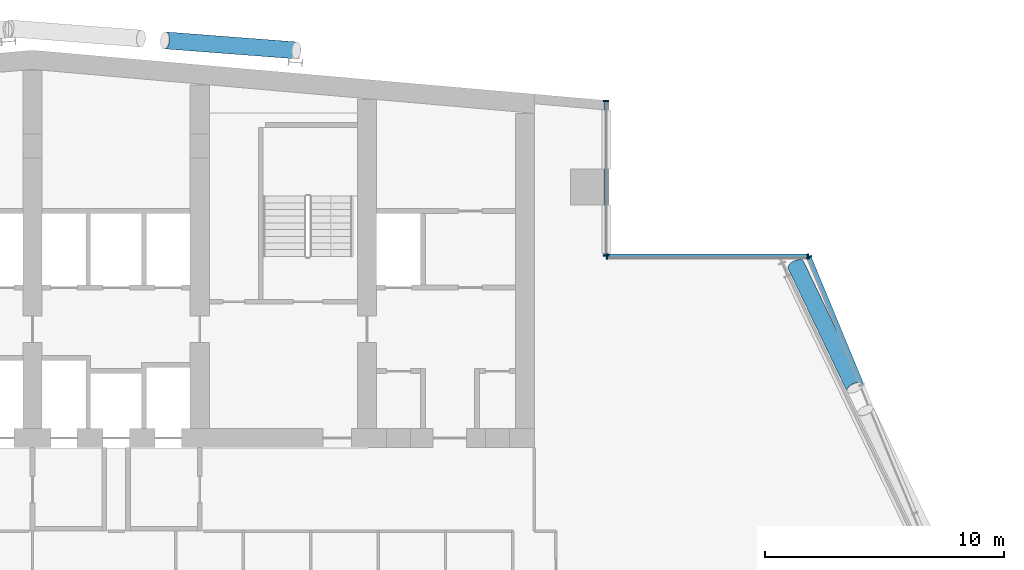
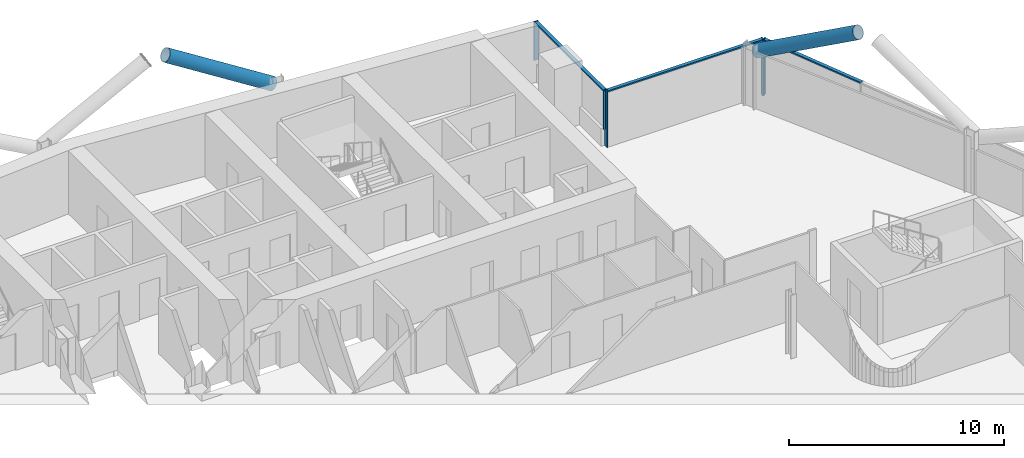
# One storey, part 10 of 29: 10 members, 3 elements without a shape of their own.
"""IFC4 building model written with IfcOpenShell, lengths in metres."""

from ifc_helpers import new_model, si_unit, direction, frame, origin, origin_2d, place, context, subcontext, project, spatial, rectangle, hollow_circle, extrude, material, material_profile, profile_set, type_object, element, aggregate, save


model = new_model("IFC4")

# Units and contexts
model_context = context("Model", 3, precision=1e-05, world=origin(), true_north=direction((0.0, 1.0)))
body_context = subcontext(model_context, "Body", "Model", "MODEL_VIEW")
ifc_project = project(units=[si_unit("LENGTHUNIT", "METRE"), si_unit("AREAUNIT", "SQUARE_METRE"), si_unit("VOLUMEUNIT", "CUBIC_METRE"), si_unit("PLANEANGLEUNIT", "RADIAN"), si_unit("MASSUNIT", "GRAM", prefix="KILO")], contexts=[model_context])

# Site, building, storey
site_placement = place(None, origin())
site = spatial("IfcSite", under=ifc_project, at=site_placement, CompositionType="ELEMENT")
building_placement = place(site_placement, origin())
building = spatial("IfcBuilding", under=site, at=building_placement, Name="Wharfspan Tower", CompositionType="ELEMENT")
storey_placement = place(building_placement, frame((0.0, 0.0, 155.5)))
storey = spatial("IfcBuildingStorey", under=building, at=storey_placement, Name="L37", CompositionType="ELEMENT", Elevation=155.5)

# Curtain wall, member
ifc_material_1 = material(Name="Aluminium 6063-T6", Category="aluminium")
curtain_wall_type = type_object("IfcCurtainWallType", Name="CURTAIN WALL PROW AND END", PredefinedType="NOTDEFINED", material=ifc_material_1)
curtain_wall_1_placement = place(storey_placement, origin())
curtain_wall_1 = element("IfcCurtainWall", 1, at=curtain_wall_1_placement, inside=storey, type_object=curtain_wall_type, Name="Curtain wall E", PredefinedType="NOTDEFINED")
ifc_material_profile_1 = material_profile(ifc_material_1, rectangle(XDim=0.23999, YDim=0.060059, at=origin_2d()))
ifc_profile_set_1 = profile_set([ifc_material_profile_1], Name="Aluminium 6063-T6")
member_type_1 = type_object("IfcMemberType", Name="MULLION PROW AND END 60x240", PredefinedType="MULLION", material=ifc_profile_set_1)
member_1_placement = place(storey_placement, frame((69.488525, 41.972168, 0.0), z_axis=(0.0, 0.0, 1.0), x_axis=(-0.924325, -0.381602, 0.0)))
member_1 = element("IfcMember", 2, at=member_1_placement, type_object=member_type_1, Name="Curtain wall E mullion 8", PredefinedType="MULLION", context=body_context, shape_type="SweptSolid", body=[
    extrude(rectangle(XDim=0.23999, YDim=0.060059, at=origin_2d()), origin(), (0.0, 0.0, 1.0), 3.199951),
])

# Curtain wall, members
curtain_wall_2_placement = place(storey_placement, origin())
curtain_wall_2 = element("IfcCurtainWall", 3, at=curtain_wall_2_placement, inside=storey, type_object=curtain_wall_type, Name="Curtain wall NRE-H", PredefinedType="NOTDEFINED")
member_2_placement = place(storey_placement, frame((69.447021, 42.0, 0.0), z_axis=(0.0, 0.0, 1.0), x_axis=(0.0, -1.0, 0.0)))
member_2 = element("IfcMember", 4, at=member_2_placement, type_object=member_type_1, Name="Curtain wall NRE-H mullion 1", PredefinedType="MULLION", context=body_context, shape_type="SweptSolid", body=[
    extrude(rectangle(XDim=0.23999, YDim=0.060059, at=origin_2d()), origin(), (0.0, 0.0, 1.0), 3.199951),
])
member_3_placement = place(storey_placement, frame((61.030029, 42.0, 0.0), z_axis=(0.0, 0.0, 1.0), x_axis=(0.0, -1.0, 0.0)))
member_3 = element("IfcMember", 5, at=member_3_placement, type_object=member_type_1, Name="Curtain wall NRE-H mullion 2", PredefinedType="MULLION", context=body_context, shape_type="SweptSolid", body=[
    extrude(rectangle(XDim=0.23999, YDim=0.060059, at=origin_2d()), origin(), (0.0, 0.0, 1.0), 3.199951),
])

curtain_wall_3_placement = place(storey_placement, origin())
curtain_wall_3 = element("IfcCurtainWall", 6, at=curtain_wall_3_placement, inside=storey, type_object=curtain_wall_type, Name="Curtain wall NRE-V", PredefinedType="NOTDEFINED")
member_4_placement = place(storey_placement, frame((61.0, 42.030029, 1.0), z_axis=(0.0, 0.0, 1.0), x_axis=(-1.0, 0.0, 0.0)))
member_4 = element("IfcMember", 7, at=member_4_placement, type_object=member_type_1, Name="Curtain wall NRE-V mullion 1", PredefinedType="MULLION", context=body_context, shape_type="SweptSolid", body=[
    extrude(rectangle(XDim=0.23999, YDim=0.060059, at=origin_2d()), origin(), (0.0, 0.0, 1.0), 2.199951),
])
member_5_placement = place(storey_placement, frame((61.0, 48.494873, 1.0), z_axis=(0.0, 0.0, 1.0), x_axis=(-1.0, 0.0, 0.0)))
member_5 = element("IfcMember", 8, at=member_5_placement, type_object=member_type_1, Name="Curtain wall NRE-V mullion 2", PredefinedType="MULLION", context=body_context, shape_type="SweptSolid", body=[
    extrude(rectangle(XDim=0.23999, YDim=0.060059, at=origin_2d()), origin(), (0.0, 0.0, 1.0), 2.199951),
])

# Members
ifc_material_2 = material(Name="Steel S460NH", Category="steel")
ifc_material_profile_2 = material_profile(ifc_material_2, hollow_circle(Radius=0.355469, WallThickness=0.035889, at=origin_2d()))
ifc_profile_set_2 = profile_set([ifc_material_profile_2], Name="Steel S460NH")
member_type_2 = type_object("IfcMemberType", Name="Mega brace CHS 711x36", PredefinedType="BRACE", material=ifc_profile_set_2)
member_6_placement = place(storey_placement, frame((68.938721, 41.643066, 2.899902), z_axis=(0.374112, -0.780716, 0.500522), x_axis=(0.901807, 0.432139, 2e-06)))
element("IfcMember", 9, at=member_6_placement, inside=storey, type_object=member_type_2, Name="Mega brace E6 L38 part 3", PredefinedType="BRACE", context=body_context, shape_type="SweptSolid", body=[
    extrude(hollow_circle(Radius=0.355469, WallThickness=0.035889, at=origin_2d()), origin(), (0.0, 0.0, 1.0), 6.582031),
])
member_7_placement = place(storey_placement, frame((48.036865, 50.617676, 2.899902), z_axis=(-0.855596, 0.065362, 0.513502), x_axis=(-0.076171, -0.997095, 1e-06)))
element("IfcMember", 10, at=member_7_placement, inside=storey, type_object=member_type_2, Name="Mega brace N8 L38 part 3", PredefinedType="BRACE", context=body_context, shape_type="SweptSolid", body=[
    extrude(hollow_circle(Radius=0.355469, WallThickness=0.035889, at=origin_2d()), origin(), (0.0, 0.0, 1.0), 6.420898),
])

# Member
ifc_material_profile_3 = material_profile(ifc_material_1, rectangle(XDim=0.179932, YDim=0.080078, at=origin_2d()))
ifc_profile_set_3 = profile_set([ifc_material_profile_3], Name="Aluminium 6063-T6")
member_type_3 = type_object("IfcMemberType", Name="TRANSOM PROW AND END 80x180", PredefinedType="USERDEFINED", material=ifc_profile_set_3)
member_8_placement = place(storey_placement, frame((71.683105, 36.65625, 3.159912), z_axis=(-0.38158, 0.924336, 0.0), x_axis=(-0.924336, -0.38158, 0.0)))
member_8 = element("IfcMember", 11, at=member_8_placement, type_object=member_type_3, Name="Curtain wall E transom 7", ObjectType="TRANSOM", PredefinedType="USERDEFINED", context=body_context, shape_type="SweptSolid", body=[
    extrude(rectangle(XDim=0.179932, YDim=0.080078, at=origin_2d()), origin(), (0.0, 0.0, 1.0), 5.721191),
])

aggregate(curtain_wall_1, [member_1, member_8])

member_9_placement = place(storey_placement, frame((69.416992, 42.0, 3.159912), z_axis=(-1.0, 0.0, 0.0), x_axis=(0.0, -1.0, 0.0)))
member_9 = element("IfcMember", 12, at=member_9_placement, type_object=member_type_3, Name="Curtain wall NRE-H transom 1", ObjectType="TRANSOM", PredefinedType="USERDEFINED", context=body_context, shape_type="SweptSolid", body=[
    extrude(rectangle(XDim=0.179932, YDim=0.080078, at=origin_2d()), origin(), (0.0, 0.0, 1.0), 8.356934),
])

aggregate(curtain_wall_2, [member_2, member_3, member_9])

member_10_placement = place(storey_placement, frame((61.0, 42.060059, 3.159912), z_axis=(0.0, 1.0, 0.0), x_axis=(-1.0, 0.0, 0.0)))
member_10 = element("IfcMember", 13, at=member_10_placement, type_object=member_type_3, Name="Curtain wall NRE-V transom 1", ObjectType="TRANSOM", PredefinedType="USERDEFINED", context=body_context, shape_type="SweptSolid", body=[
    extrude(rectangle(XDim=0.179932, YDim=0.080078, at=origin_2d()), origin(), (0.0, 0.0, 1.0), 6.404785),
])

aggregate(curtain_wall_3, [member_4, member_5, member_10])

save(model, "model.ifc")
